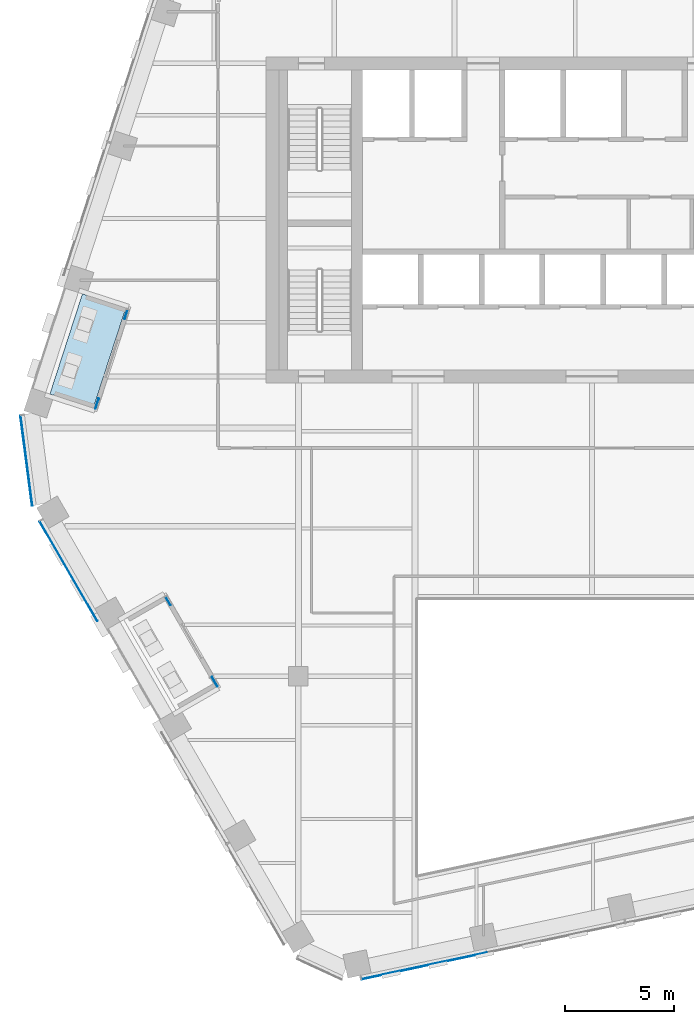
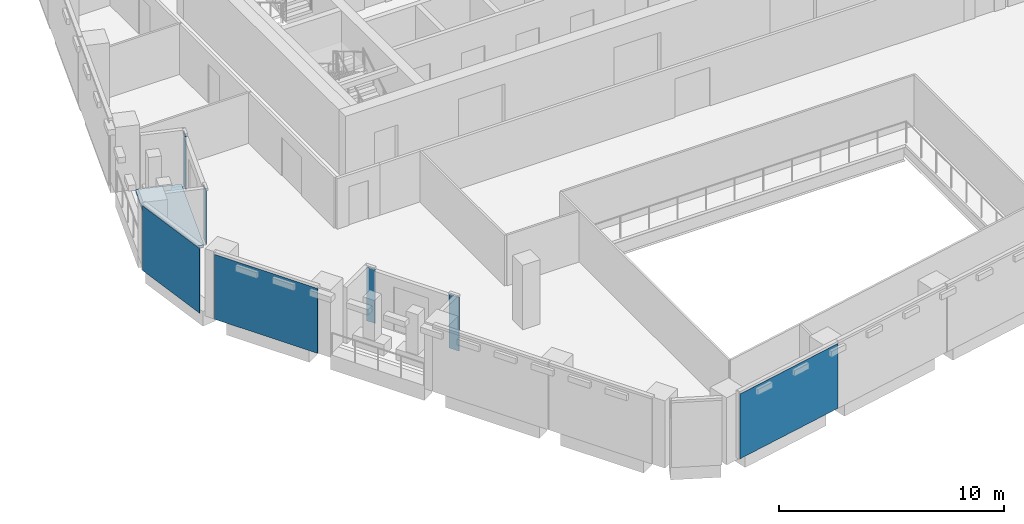
# One storey, part 10 of 24: 7 plates, 1 slab, 5 elements without a shape of their own.
"""IFC4 building model written with IfcOpenShell, lengths in metres."""

from ifc_helpers import new_model, si_unit, direction, frame, origin, origin_2d, place, context, subcontext, project, spatial, polyline, rectangle, outline, extrude, material, layer, layer_set, type_object, element, aggregate, save


model = new_model("IFC4")

# Units and contexts
model_context = context("Model", 3, precision=1e-05, world=origin(), true_north=direction((0.0, 1.0)))
body_context = subcontext(model_context, "Body", "Model", "MODEL_VIEW")
ifc_project = project(units=[si_unit("LENGTHUNIT", "METRE"), si_unit("AREAUNIT", "SQUARE_METRE"), si_unit("VOLUMEUNIT", "CUBIC_METRE"), si_unit("PLANEANGLEUNIT", "RADIAN"), si_unit("MASSUNIT", "GRAM", prefix="KILO")], contexts=[model_context])

# Site, building, storey
site_placement = place(None, origin())
site = spatial("IfcSite", under=ifc_project, at=site_placement, CompositionType="ELEMENT")
building_placement = place(site_placement, origin())
building = spatial("IfcBuilding", under=site, at=building_placement, Name="Isthmus Gate Tower", CompositionType="ELEMENT")
storey_placement = place(building_placement, frame((0.0, 0.0, 234.550048828125)))
storey = spatial("IfcBuildingStorey", under=building, at=storey_placement, Name="L59", CompositionType="ELEMENT", Elevation=234.550048828125)

# Curtain wall, plate
ifc_material_1 = material(Name="Aluminium, pale champagne anodised", Category="aluminium")
ifc_layer_1 = layer(ifc_material_1, 0.199951171875)
ifc_layer_set_1 = layer_set([ifc_layer_1], Name="CW-1 UNITISED CURTAIN WALL 200 DEEP")
curtain_wall_type_1 = type_object("IfcCurtainWallType", Name="CW-1 UNITISED CURTAIN WALL 200 DEEP", PredefinedType="NOTDEFINED", material=ifc_layer_set_1)
curtain_wall_1_placement = place(storey_placement, origin())
curtain_wall_1 = element("IfcCurtainWall", 1, at=curtain_wall_1_placement, inside=storey, type_object=curtain_wall_type_1, Name="CW-1 NW-SW L59", PredefinedType="NOTDEFINED")
ifc_material_2 = material(Name="Laminated low-iron glass, pale blue tint", Category="glass")
ifc_layer_2 = layer(ifc_material_2, 0.031982421875)
ifc_layer_set_2 = layer_set([ifc_layer_2], Name="CW-1 CLEAR GLASS LITE 32")
plate_type_1 = type_object("IfcPlateType", Name="CW-1 CLEAR GLASS LITE 32", PredefinedType="CURTAIN_PANEL", material=ifc_layer_set_2)
plate_1_placement = place(storey_placement, frame((-26.014892578125, -3.57958984375, 0.0), z_axis=(0.0, 0.0, 1.0), x_axis=(0.129164534, -0.991623175988, 0.0)))
plate_1 = element("IfcPlate", 2, at=plate_1_placement, type_object=plate_type_1, Name="CW-1 glass lite", PredefinedType="CURTAIN_PANEL", context=body_context, shape_type="SweptSolid", body=[
    extrude(rectangle(XDim=4.181396484375, YDim=0.031982421875, at=origin_2d()), origin(), (0.0, 0.0, 1.0), 3.52001953125),
])
aggregate(curtain_wall_1, [plate_1])

curtain_wall_2_placement = place(storey_placement, origin())
curtain_wall_2 = element("IfcCurtainWall", 3, at=curtain_wall_2_placement, inside=storey, type_object=curtain_wall_type_1, Name="CW-1 SW L59", PredefinedType="NOTDEFINED")
plate_2_placement = place(storey_placement, frame((-24.075439453125, -8.668212890625, 0.0), z_axis=(0.0, 0.0, 1.0), x_axis=(0.5, -0.866025403784, 0.0)))
plate_2 = element("IfcPlate", 4, at=plate_2_placement, type_object=plate_type_1, Name="CW-1 glass lite", PredefinedType="CURTAIN_PANEL", context=body_context, shape_type="SweptSolid", body=[
    extrude(rectangle(XDim=5.300537109375, YDim=0.031982421875, at=origin_2d()), origin(), (0.0, 0.0, 1.0), 3.52001953125),
])
aggregate(curtain_wall_2, [plate_2])

curtain_wall_3_placement = place(storey_placement, origin())
curtain_wall_3 = element("IfcCurtainWall", 5, at=curtain_wall_3_placement, inside=storey, type_object=curtain_wall_type_1, Name="CW-1 S L59", PredefinedType="NOTDEFINED")
plate_3_placement = place(storey_placement, frame((-7.71435546875, -26.827880859375, 0.0), z_axis=(0.0, 0.0, 1.0), x_axis=(0.978147600734, 0.207911690818, 0.0)))
plate_3 = element("IfcPlate", 6, at=plate_3_placement, type_object=plate_type_1, Name="CW-1 glass lite", PredefinedType="CURTAIN_PANEL", context=body_context, shape_type="SweptSolid", body=[
    extrude(rectangle(XDim=5.8818359375, YDim=0.031982421875, at=origin_2d()), origin(), (0.0, 0.0, 1.0), 3.52001953125),
])
aggregate(curtain_wall_3, [plate_3])

# Curtain wall, plates
ifc_material_3 = material(Name="Aluminium, pale champagne anodised", Category="aluminium")
ifc_layer_3 = layer(ifc_material_3, 0.14990234375)
ifc_layer_set_3 = layer_set([ifc_layer_3], Name="CW-6 LOGGIA BACK WALL GLAZING 150 DEEP")
curtain_wall_type_2 = type_object("IfcCurtainWallType", Name="CW-6 LOGGIA BACK WALL GLAZING 150 DEEP", PredefinedType="NOTDEFINED", material=ifc_layer_set_3)
curtain_wall_4_placement = place(storey_placement, origin())
curtain_wall_4 = element("IfcCurtainWall", 7, at=curtain_wall_4_placement, inside=storey, type_object=curtain_wall_type_2, Name="CW-6 NW L59", PredefinedType="NOTDEFINED")
ifc_material_4 = material(Name="Laminated low-iron glass, clear", Category="glass")
ifc_layer_4 = layer(ifc_material_4, 0.031982421875)
ifc_layer_set_4 = layer_set([ifc_layer_4], Name="CW-6 CLEAR GLASS LITE 32")
plate_type_2 = type_object("IfcPlateType", Name="CW-6 CLEAR GLASS LITE 32", PredefinedType="CURTAIN_PANEL", material=ifc_layer_set_4)
plate_4_placement = place(storey_placement, frame((-21.4306640625, 3.145263671875, 0.0), z_axis=(0.0, 0.0, 1.0), x_axis=(-0.309016994375, -0.951056516295, 0.0)))
plate_4 = element("IfcPlate", 8, at=plate_4_placement, type_object=plate_type_2, Name="CW-6 glass lite", PredefinedType="CURTAIN_PANEL", context=body_context, shape_type="SweptSolid", body=[
    extrude(rectangle(XDim=0.43994140625, YDim=0.031982421875, at=origin_2d()), origin(), (0.0, 0.0, 1.0), 2.929931640625),
])
plate_5_placement = place(storey_placement, frame((-22.76318359375, -0.95556640625, 0.0), z_axis=(0.0, 0.0, 1.0), x_axis=(-0.309016994375, -0.951056516295, 0.0)))
plate_5 = element("IfcPlate", 9, at=plate_5_placement, type_object=plate_type_2, Name="CW-6 glass lite", PredefinedType="CURTAIN_PANEL", context=body_context, shape_type="SweptSolid", body=[
    extrude(rectangle(XDim=0.5, YDim=0.031982421875, at=origin_2d()), origin(), (0.0, 0.0, 1.0), 2.929931640625),
])
aggregate(curtain_wall_4, [plate_4, plate_5])

curtain_wall_5_placement = place(storey_placement, origin())
curtain_wall_5 = element("IfcCurtainWall", 10, at=curtain_wall_5_placement, inside=storey, type_object=curtain_wall_type_2, Name="CW-6 SW L59", PredefinedType="NOTDEFINED")
plate_6_placement = place(storey_placement, frame((-19.4912109375, -10.040283203125, 0.0), z_axis=(0.0, 0.0, 1.0), x_axis=(0.5, -0.866025403784, 0.0)))
plate_6 = element("IfcPlate", 11, at=plate_6_placement, type_object=plate_type_2, Name="CW-6 glass lite", PredefinedType="CURTAIN_PANEL", context=body_context, shape_type="SweptSolid", body=[
    extrude(rectangle(XDim=0.43994140625, YDim=0.031982421875, at=origin_2d()), origin(), (0.0, 0.0, 1.0), 2.929931640625),
])
plate_7_placement = place(storey_placement, frame((-17.350830078125, -13.747314453125, 0.0), z_axis=(0.0, 0.0, 1.0), x_axis=(0.5, -0.866025403784, 0.0)))
plate_7 = element("IfcPlate", 12, at=plate_7_placement, type_object=plate_type_2, Name="CW-6 glass lite", PredefinedType="CURTAIN_PANEL", context=body_context, shape_type="SweptSolid", body=[
    extrude(rectangle(XDim=0.5, YDim=0.031982421875, at=origin_2d()), origin(), (0.0, 0.0, 1.0), 2.929931640625),
])
aggregate(curtain_wall_5, [plate_6, plate_7])

# Slab
ifc_material_5 = material(Name="Concrete f'c 50 MPa", Category="concrete")
ifc_layer_5 = layer(ifc_material_5, 0.14990234375)
ifc_layer_set_5 = layer_set([ifc_layer_5], Name="LOGGIA FLOOR SLAB 150")
slab_type = type_object("IfcSlabType", Name="LOGGIA FLOOR SLAB 150", PredefinedType="FLOOR", material=ifc_layer_set_5)
slab_placement = place(storey_placement, frame((0.0, 0.0, -0.150146484375)))
element("IfcSlab", 13, at=slab_placement, inside=storey, type_object=slab_type, Name="LOGGIA FLOOR", PredefinedType="FLOOR", context=body_context, shape_type="SweptSolid", body=[
    extrude(outline(polyline([(-23.4365234375, 4.09130859375), (-24.9326171875, -0.513671875), (-22.935546875, -1.16259765625), (-21.439208984375, 3.4423828125), (-23.4365234375, 4.09130859375)])), origin(), (0.0, 0.0, 1.0), 0.150146484375),
])

save(model, "model.ifc")
